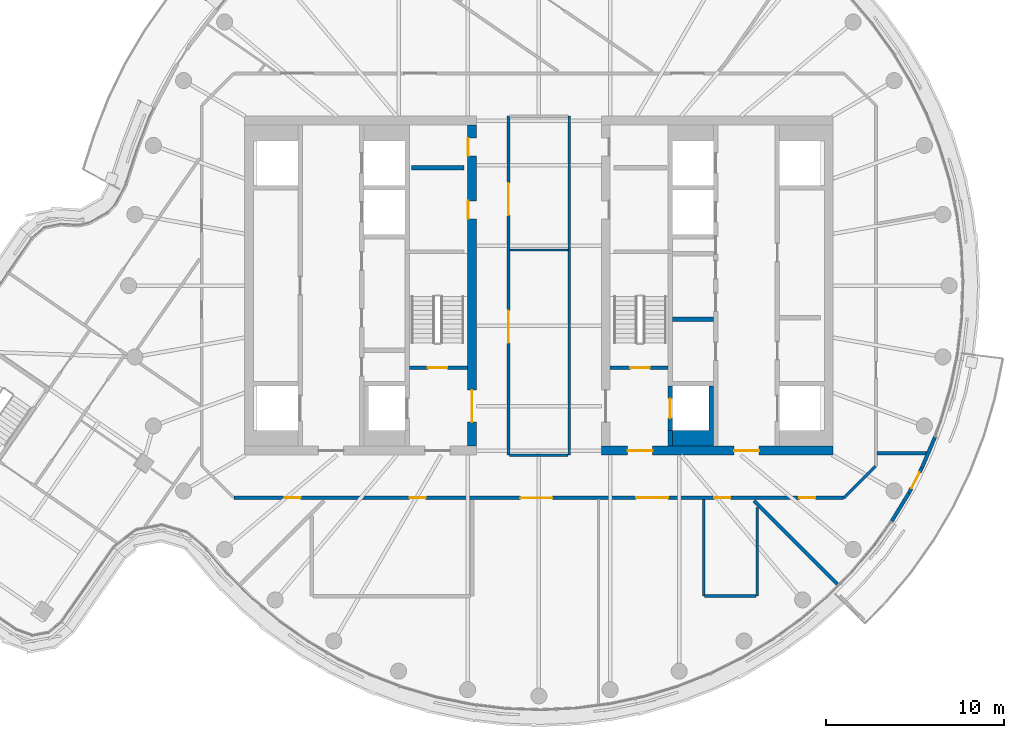
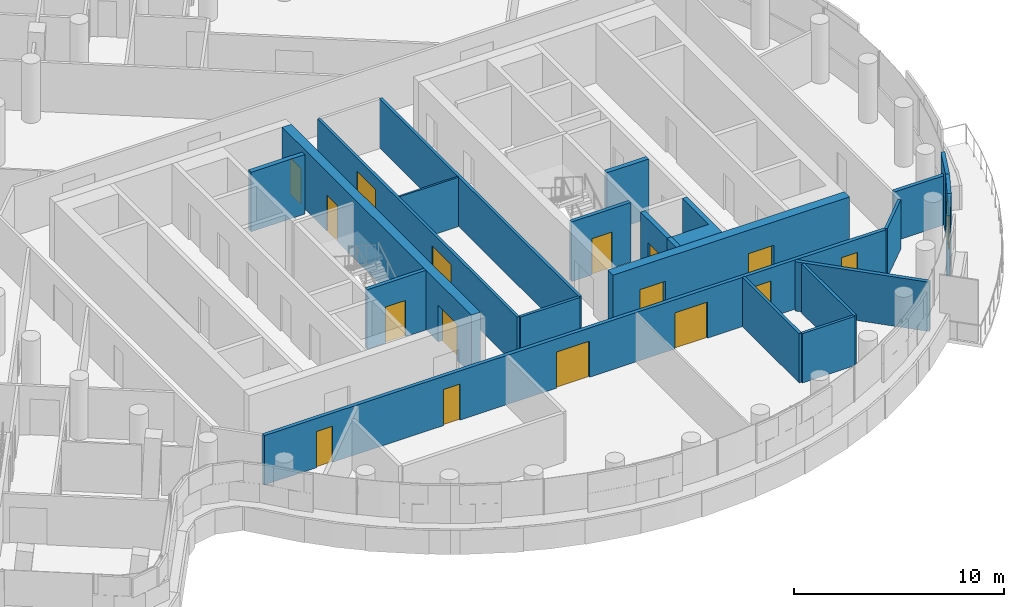
# One storey, part 17 of 26: 23 walls, 17 doors, 17 openings.
"""IFC4 building model written with IfcOpenShell, lengths in metres."""

from ifc_helpers import new_model, si_unit, direction, frame, frame_2d, origin, place, context, subcontext, project, spatial, polyline, rectangle, outline, extrude, material, layer, layer_set, type_object, element, fill, save


model = new_model("IFC4")

# Units and contexts
model_context = context("Model", 3, precision=1e-05, world=origin(), true_north=direction((0.0, 1.0)))
body_context = subcontext(model_context, "Body", "Model", "MODEL_VIEW")
ifc_project = project(units=[si_unit("LENGTHUNIT", "METRE"), si_unit("AREAUNIT", "SQUARE_METRE"), si_unit("VOLUMEUNIT", "CUBIC_METRE"), si_unit("PLANEANGLEUNIT", "RADIAN"), si_unit("MASSUNIT", "GRAM", prefix="KILO")], contexts=[model_context])

# Site, building, storey
site_placement = place(None, origin())
site = spatial("IfcSite", under=ifc_project, at=site_placement, CompositionType="ELEMENT")
building_placement = place(site_placement, origin())
building = spatial("IfcBuilding", under=site, at=building_placement, Name="Tamarind Cross Interchange Tower", CompositionType="ELEMENT")
storey_placement = place(building_placement, frame((0.0, 0.0, 234.300048828125)))
storey = spatial("IfcBuildingStorey", under=building, at=storey_placement, Name="L59", CompositionType="ELEMENT", Elevation=234.300048828125)

# Walls
ifc_material_1 = material(Name="Concrete C40", Category="concrete")
ifc_layer_1 = layer(ifc_material_1, 0.199951171875)
ifc_layer_set_1 = layer_set([ifc_layer_1], Name="Concrete C40")
wall_type_1 = type_object("IfcWallType", Name="Balcony and garden door wall", PredefinedType="SOLIDWALL", material=ifc_layer_set_1)
wall_1_placement = place(storey_placement, frame((19.772216796875, -13.21826171875, 0.0), z_axis=(0.0, 0.0, 1.0), x_axis=(0.52165588039, 0.85315598952, 0.0)))
element("IfcWall", 1, at=wall_1_placement, inside=storey, type_object=wall_type_1, Name="EXW-L59-02-D11L", PredefinedType="SOLIDWALL", context=body_context, shape_type="SweptSolid", body=[
    extrude(rectangle(XDim=1.87060546875, YDim=0.199951171875, at=frame_2d((0.935302734375, 0.0))), origin(), (0.0, 0.0, 1.0), 3.4599609375),
])
wall_2_placement = place(storey_placement, frame((21.477294921875, -10.199462890625, 0.0), z_axis=(0.0, 0.0, 1.0), x_axis=(0.392831837578, 0.919610323662, 0.0)))
element("IfcWall", 2, at=wall_2_placement, inside=storey, type_object=wall_type_1, Name="EXW-L59-02-D11R", PredefinedType="SOLIDWALL", context=body_context, shape_type="SweptSolid", body=[
    extrude(rectangle(XDim=1.8701171875, YDim=0.199951171875, at=frame_2d((0.93505859375, 0.0))), origin(), (0.0, 0.0, 1.0), 3.4599609375),
])

# Wall, opening, door
wall_3_placement = place(storey_placement, frame((20.748046875, -11.622314453125, 0.0), z_axis=(0.0, 0.0, 1.0), x_axis=(0.456108930907, 0.889923953575, 0.0)))
wall_3 = element("IfcWall", 3, at=wall_3_placement, inside=storey, type_object=wall_type_1, Name="EXW-L59-02-D11", PredefinedType="SOLIDWALL", context=body_context, shape_type="SweptSolid", body=[
    extrude(rectangle(XDim=1.598876953125, YDim=0.199951171875, at=frame_2d((0.79931640625, 0.0))), origin(), (0.0, 0.0, 1.0), 3.4599609375),
])
opening_1_placement = place(wall_3_placement, frame((0.299560546875, 0.0, 0.0)))
opening_1 = element("IfcOpeningElement", 4, at=opening_1_placement, cuts=wall_3, Name="Opening D2", PredefinedType="OPENING", context=body_context, shape_type="SweptSolid", body=[
    extrude(rectangle(XDim=1.0, YDim=2.39990234375, at=frame_2d((0.5, 1.199951171875))), frame((0.0, 0.10986328125, 0.0), z_axis=(0.0, -1.0, 0.0), x_axis=(1.0, 0.0, 0.0)), (0.0, 0.0, 1.0), 0.219970703125),
])
ifc_material_2 = material(Name="Aluminium and toughened glass", Category="aluminium")
door_type_1 = type_object("IfcDoorType", Name="Balcony and garden door", OperationType="SINGLE_SWING_LEFT", PredefinedType="DOOR", material=ifc_material_2)
door_1_placement = place(opening_1_placement, origin())
door_1 = element("IfcDoor", 5, at=door_1_placement, inside=storey, type_object=door_type_1, Name="DOR-L59-02-11", OperationType="SINGLE_SWING_LEFT", OverallHeight=2.39990234375, OverallWidth=1.0, PredefinedType="DOOR", context=body_context, shape_type="SweptSolid", body=[
    extrude(rectangle(XDim=1.0, YDim=2.39990234375, at=frame_2d((0.5, 1.199951171875))), frame((0.0, 0.02490234375, 0.0), z_axis=(0.0, -1.0, 0.0), x_axis=(1.0, 0.0, 0.0)), (0.0, 0.0, 1.0), 0.050048828125),
])
fill(opening_1, door_1)

# Wall, openings, doors
ifc_material_3 = material(Name="Concrete C50", Category="concrete")
ifc_layer_2 = layer(ifc_material_3, 0.5)
ifc_layer_set_2 = layer_set([ifc_layer_2], Name="Concrete C50")
wall_type_2 = type_object("IfcWallType", Name="Core wall 500 mm Concrete C50", PredefinedType="SHEAR", material=ifc_layer_set_2)
wall_4_placement = place(storey_placement, frame((-3.75, -9.0, 0.0), z_axis=(0.0, 0.0, 1.0), x_axis=(0.0, 1.0, 0.0)))
wall_4 = element("IfcWall", 6, at=wall_4_placement, inside=storey, type_object=wall_type_2, Name="Core wall CWL-L59-W-IN", PredefinedType="SHEAR", context=body_context, shape_type="SweptSolid", body=[
    extrude(rectangle(XDim=18.0, YDim=0.5, at=frame_2d((9.0, 0.0))), origin(), (0.0, 0.0, 1.0), 3.4599609375),
])
opening_2_placement = place(wall_4_placement, frame((1.35009765625, 0.0, 0.0)))
opening_2 = element("IfcOpeningElement", 7, at=opening_2_placement, cuts=wall_4, Name="Opening DCW4", PredefinedType="OPENING", context=body_context, shape_type="SweptSolid", body=[
    extrude(rectangle(XDim=1.800048828125, YDim=2.10009765625, at=frame_2d((0.89990234375, 1.050048828125))), frame((0.0, 0.260009765625, 0.0), z_axis=(0.0, -1.0, 0.0), x_axis=(1.0, 0.0, 0.0)), (0.0, 0.0, 1.0), 0.52001953125),
])
opening_3_placement = place(wall_4_placement, frame((12.74951171875, 0.0, 0.0)))
opening_3 = element("IfcOpeningElement", 8, at=opening_3_placement, cuts=wall_4, Name="Opening DCW5", PredefinedType="OPENING", context=body_context, shape_type="SweptSolid", body=[
    extrude(rectangle(XDim=1.0, YDim=2.10009765625, at=frame_2d((0.5, 1.050048828125))), frame((0.0, 0.260009765625, 0.0), z_axis=(0.0, -1.0, 0.0), x_axis=(1.0, 0.0, 0.0)), (0.0, 0.0, 1.0), 0.52001953125),
])
opening_4_placement = place(wall_4_placement, frame((16.2744140625, 0.0, 0.0)))
opening_4 = element("IfcOpeningElement", 9, at=opening_4_placement, cuts=wall_4, Name="Opening DCW5", PredefinedType="OPENING", context=body_context, shape_type="SweptSolid", body=[
    extrude(rectangle(XDim=1.0, YDim=2.10009765625, at=frame_2d((0.5, 1.050048828125))), frame((0.0, 0.260009765625, 0.0), z_axis=(0.0, -1.0, 0.0), x_axis=(1.0, 0.0, 0.0)), (0.0, 0.0, 1.0), 0.52001953125),
])
ifc_material_4 = material(Name="Steel, fire-resisting", Category="steel")
door_type_2 = type_object("IfcDoorType", Name="Core fire door 1000 x 2100 FD90", OperationType="SINGLE_SWING_LEFT", PredefinedType="DOOR", material=ifc_material_4)
door_2_placement = place(opening_3_placement, origin())
door_2 = element("IfcDoor", 10, at=door_2_placement, inside=storey, type_object=door_type_2, Name="L59 riser room door", OperationType="SINGLE_SWING_LEFT", OverallHeight=2.10009765625, OverallWidth=1.0, PredefinedType="DOOR", context=body_context, shape_type="SweptSolid", body=[
    extrude(rectangle(XDim=1.0, YDim=2.10009765625, at=frame_2d((0.5, 1.050048828125))), frame((0.0, 0.22509765625, 0.0), z_axis=(0.0, -1.0, 0.0), x_axis=(1.0, 0.0, 0.0)), (0.0, 0.0, 1.0), 0.050048828125),
])
fill(opening_3, door_2)
door_3_placement = place(opening_4_placement, origin())
door_3 = element("IfcDoor", 11, at=door_3_placement, inside=storey, type_object=door_type_2, Name="L59 linen press door", OperationType="SINGLE_SWING_LEFT", OverallHeight=2.10009765625, OverallWidth=1.0, PredefinedType="DOOR", context=body_context, shape_type="SweptSolid", body=[
    extrude(rectangle(XDim=1.0, YDim=2.10009765625, at=frame_2d((0.5, 1.050048828125))), frame((0.0, 0.22509765625, 0.0), z_axis=(0.0, -1.0, 0.0), x_axis=(1.0, 0.0, 0.0)), (0.0, 0.0, 1.0), 0.050048828125),
])
fill(opening_4, door_3)
door_type_3 = type_object("IfcDoorType", Name="Core fire door 1800 x 2100 FD90", OperationType="SINGLE_SWING_LEFT", PredefinedType="DOOR", material=ifc_material_4)
door_4_placement = place(opening_2_placement, origin())
door_4 = element("IfcDoor", 12, at=door_4_placement, inside=storey, type_object=door_type_3, Name="L59 firefighting lobby door", OperationType="SINGLE_SWING_LEFT", OverallHeight=2.10009765625, OverallWidth=1.800048828125, PredefinedType="DOOR", context=body_context, shape_type="SweptSolid", body=[
    extrude(rectangle(XDim=1.800048828125, YDim=2.10009765625, at=frame_2d((0.89990234375, 1.050048828125))), frame((0.0, 0.02490234375, 0.0), z_axis=(0.0, -1.0, 0.0), x_axis=(1.0, 0.0, 0.0)), (0.0, 0.0, 1.0), 0.050048828125),
])
fill(opening_2, door_4)

wall_5_placement = place(storey_placement, frame((16.5, -9.25, 0.0), z_axis=(0.0, 0.0, 1.0), x_axis=(-1.0, 0.0, 0.0)))
wall_5 = element("IfcWall", 13, at=wall_5_placement, inside=storey, type_object=wall_type_2, Name="Core wall CWL-L59-E-S", PredefinedType="SHEAR", context=body_context, shape_type="SweptSolid", body=[
    extrude(rectangle(XDim=13.0, YDim=0.5, at=frame_2d((6.5, 0.0))), origin(), (0.0, 0.0, 1.0), 3.4599609375),
])
opening_5_placement = place(wall_5_placement, frame((4.14990234375, 0.0, 0.0)))
opening_5 = element("IfcOpeningElement", 14, at=opening_5_placement, cuts=wall_5, Name="Opening DCE1", PredefinedType="OPENING", context=body_context, shape_type="SweptSolid", body=[
    extrude(rectangle(XDim=1.39990234375, YDim=2.10009765625, at=frame_2d((0.699951171875, 1.050048828125))), frame((0.0, 0.260009765625, 0.0), z_axis=(0.0, -1.0, 0.0), x_axis=(1.0, 0.0, 0.0)), (0.0, 0.0, 1.0), 0.52001953125),
])
opening_6_placement = place(wall_5_placement, frame((10.125, 0.0, 0.0)))
opening_6 = element("IfcOpeningElement", 15, at=opening_6_placement, cuts=wall_5, Name="Opening DCEF", PredefinedType="OPENING", context=body_context, shape_type="SweptSolid", body=[
    extrude(rectangle(XDim=1.39990234375, YDim=2.10009765625, at=frame_2d((0.699951171875, 1.050048828125))), frame((0.0, 0.260009765625, 0.0), z_axis=(0.0, -1.0, 0.0), x_axis=(1.0, 0.0, 0.0)), (0.0, 0.0, 1.0), 0.52001953125),
])
door_type_4 = type_object("IfcDoorType", Name="Core fire door 1400 x 2100 FD90", OperationType="SINGLE_SWING_LEFT", PredefinedType="DOOR", material=ifc_material_4)
door_5_placement = place(opening_5_placement, origin())
door_5 = element("IfcDoor", 16, at=door_5_placement, inside=storey, type_object=door_type_4, Name="L59 lift lobby door", OperationType="SINGLE_SWING_LEFT", OverallHeight=2.10009765625, OverallWidth=1.39990234375, PredefinedType="DOOR", context=body_context, shape_type="SweptSolid", body=[
    extrude(rectangle(XDim=1.39990234375, YDim=2.10009765625, at=frame_2d((0.699951171875, 1.050048828125))), frame((0.0, 0.02490234375, 0.0), z_axis=(0.0, -1.0, 0.0), x_axis=(1.0, 0.0, 0.0)), (0.0, 0.0, 1.0), 0.050048828125),
])
fill(opening_5, door_5)
door_6_placement = place(opening_6_placement, origin())
door_6 = element("IfcDoor", 17, at=door_6_placement, inside=storey, type_object=door_type_4, Name="L59 firefighting lobby end door", OperationType="SINGLE_SWING_LEFT", OverallHeight=2.10009765625, OverallWidth=1.39990234375, PredefinedType="DOOR", context=body_context, shape_type="SweptSolid", body=[
    extrude(rectangle(XDim=1.39990234375, YDim=2.10009765625, at=frame_2d((0.699951171875, 1.050048828125))), frame((0.0, 0.02490234375, 0.0), z_axis=(0.0, -1.0, 0.0), x_axis=(1.0, 0.0, 0.0)), (0.0, 0.0, 1.0), 0.050048828125),
])
fill(opening_6, door_6)

# Walls
ifc_layer_3 = layer(ifc_material_3, 0.25)
ifc_layer_set_3 = layer_set([ifc_layer_3], Name="Concrete C50")
wall_type_3 = type_object("IfcWallType", Name="Core web wall 250 mm Concrete C50", PredefinedType="SHEAR", material=ifc_layer_set_3)
wall_6_placement = place(storey_placement, origin())
element("IfcWall", 18, at=wall_6_placement, inside=storey, type_object=wall_type_3, Name="Core wall CWL-L59-E-BS", PredefinedType="SHEAR", context=body_context, shape_type="SweptSolid", body=[
    extrude(outline(polyline([(7.5, -8.125), (7.5, -9.0), (9.800048828125, -9.0), (9.800048828125, -8.125), (9.800048828125, -5.625), (9.550048828125, -5.625), (9.550048828125, -8.125), (7.5, -8.125)])), origin(), (0.0, 0.0, 1.0), 3.4599609375),
])
wall_7_placement = place(storey_placement, frame((7.375, -9.0, 0.0), z_axis=(0.0, 0.0, 1.0), x_axis=(0.0, 1.0, 0.0)))
element("IfcWall", 19, at=wall_7_placement, inside=storey, type_object=wall_type_3, Name="Core wall CWL-L59-E-BW", PredefinedType="SHEAR", context=body_context, shape_type="SweptSolid", body=[
    extrude(rectangle(XDim=0.875, YDim=0.25, at=frame_2d((0.4375, 0.0))), origin(), (0.0, 0.0, 1.0), 3.4599609375),
])

# Wall, opening, door
wall_8_placement = place(storey_placement, frame((7.375, -8.125, 0.0), z_axis=(0.0, 0.0, 1.0), x_axis=(0.0, 1.0, 0.0)))
wall_8 = element("IfcWall", 20, at=wall_8_placement, inside=storey, type_object=wall_type_3, Name="Core wall CWL-L59-E-FF", PredefinedType="SHEAR", context=body_context, shape_type="SweptSolid", body=[
    extrude(rectangle(XDim=2.5, YDim=0.25, at=frame_2d((1.25, 0.0))), origin(), (0.0, 0.0, 1.0), 3.4599609375),
])
opening_7_placement = place(wall_8_placement, frame((0.699951171875, 0.0, 0.0)))
opening_7 = element("IfcOpeningElement", 21, at=opening_7_placement, cuts=wall_8, Name="Opening LD19L59", PredefinedType="OPENING", context=body_context, shape_type="SweptSolid", body=[
    extrude(rectangle(XDim=1.10009765625, YDim=2.10009765625, at=frame_2d((0.550048828125, 1.050048828125))), frame((0.0, 0.135009765625, 0.0), z_axis=(0.0, -1.0, 0.0), x_axis=(1.0, 0.0, 0.0)), (0.0, 0.0, 1.0), 0.27001953125),
])
ifc_material_5 = material(Name="Stainless steel panel", Category="steel")
door_type_5 = type_object("IfcDoorType", Name="Lift landing door 1100 x 2100 E 120", OperationType="SLIDING_TO_LEFT", PredefinedType="DOOR", material=ifc_material_5)
door_7_placement = place(opening_7_placement, origin())
door_7 = element("IfcDoor", 22, at=door_7_placement, inside=storey, type_object=door_type_5, Name="L59 landing door LF19", OperationType="SLIDING_TO_LEFT", OverallHeight=2.10009765625, OverallWidth=1.10009765625, PredefinedType="DOOR", context=body_context, shape_type="SweptSolid", body=[
    extrude(rectangle(XDim=1.10009765625, YDim=2.10009765625, at=frame_2d((0.550048828125, 1.050048828125))), frame((0.0, 0.02490234375, 0.0), z_axis=(0.0, -1.0, 0.0), x_axis=(1.0, 0.0, 0.0)), (0.0, 0.0, 1.0), 0.050048828125),
])
fill(opening_7, door_7)

# Walls
ifc_material_6 = material(Name="Gypsum board partition on steel studs", Category="steel")
ifc_layer_4 = layer(ifc_material_6, 0.10009765625)
ifc_layer_set_4 = layer_set([ifc_layer_4], Name="Gypsum board partition on steel studs")
wall_type_4 = type_object("IfcWallType", Name="Partition 100 mm EI 120", PredefinedType="PARTITIONING", material=ifc_layer_set_4)
wall_9_placement = place(storey_placement, frame((-1.639892578125, 2.0, 0.0), z_axis=(0.0, 0.0, 1.0), x_axis=(1.0, 0.0, 0.0)))
element("IfcWall", 23, at=wall_9_placement, inside=storey, type_object=wall_type_4, Name="Partition L59-030", PredefinedType="PARTITIONING", context=body_context, shape_type="SweptSolid", body=[
    extrude(rectangle(XDim=3.27978515625, YDim=0.10009765625, at=frame_2d((1.639892578125, 0.0))), origin(), (0.0, 0.0, 1.0), 2.864013671875),
])
ifc_layer_5 = layer(ifc_material_6, 0.14990234375)
ifc_layer_set_5 = layer_set([ifc_layer_5], Name="Gypsum board partition on steel studs")
wall_type_5 = type_object("IfcWallType", Name="Partition 150 mm EI 120", PredefinedType="PARTITIONING", material=ifc_layer_set_5)
wall_10_placement = place(storey_placement, frame((9.2958984375, -17.39990234375, 0.0), z_axis=(0.0, 0.0, 1.0), x_axis=(1.0, 0.0, 0.0)))
element("IfcWall", 24, at=wall_10_placement, inside=storey, type_object=wall_type_5, Name="Partition L59-028", PredefinedType="PARTITIONING", context=body_context, shape_type="SweptSolid", body=[
    extrude(rectangle(XDim=2.89013671875, YDim=0.14990234375, at=frame_2d((1.445068359375, 0.0))), origin(), (0.0, 0.0, 1.0), 2.864013671875),
])
wall_11_placement = place(storey_placement, frame((-1.639892578125, -9.5, 0.0), z_axis=(0.0, 0.0, 1.0), x_axis=(1.0, 0.0, 0.0)))
element("IfcWall", 25, at=wall_11_placement, inside=storey, type_object=wall_type_5, Name="Partition L59-029", PredefinedType="PARTITIONING", context=body_context, shape_type="SweptSolid", body=[
    extrude(rectangle(XDim=3.27978515625, YDim=0.14990234375, at=frame_2d((1.639892578125, 0.0))), origin(), (0.0, 0.0, 1.0), 2.864013671875),
])
wall_12_placement = place(storey_placement, frame((17.10009765625, -11.89990234375, 0.0), z_axis=(0.0, 0.0, 1.0), x_axis=(0.707106781187, 0.707106781187, 0.0)))
element("IfcWall", 26, at=wall_12_placement, inside=storey, type_object=wall_type_5, Name="Partition L59-036", PredefinedType="PARTITIONING", context=body_context, shape_type="SweptSolid", body=[
    extrude(rectangle(XDim=2.50537109375, YDim=0.14990234375, at=frame_2d((1.252685546875, 0.0))), origin(), (0.0, 0.0, 1.0), 2.864013671875),
])

# Wall, openings, doors
wall_13_placement = place(storey_placement, frame((-1.699951171875, -9.5, 0.0), z_axis=(0.0, 0.0, 1.0), x_axis=(0.0, 1.0, 0.0)))
wall_13 = element("IfcWall", 27, at=wall_13_placement, inside=storey, type_object=wall_type_5, Name="Partition L59-058", PredefinedType="PARTITIONING", context=body_context, shape_type="SweptSolid", body=[
    extrude(rectangle(XDim=19.0, YDim=0.14990234375, at=frame_2d((9.5, 0.0))), origin(), (0.0, 0.0, 1.0), 2.864013671875),
])
opening_8_placement = place(wall_13_placement, frame((6.300048828125, 0.0, 0.0)))
opening_8 = element("IfcOpeningElement", 28, at=opening_8_placement, cuts=wall_13, Name="Opening D30", PredefinedType="OPENING", context=body_context, shape_type="SweptSolid", body=[
    extrude(rectangle(XDim=1.800048828125, YDim=2.10009765625, at=frame_2d((0.89990234375, 1.050048828125))), frame((0.0, 0.0849609375, 0.0), z_axis=(0.0, -1.0, 0.0), x_axis=(1.0, 0.0, 0.0)), (0.0, 0.0, 1.0), 0.169921875),
])
opening_9_placement = place(wall_13_placement, frame((13.449951171875, 0.0, 0.0)))
opening_9 = element("IfcOpeningElement", 29, at=opening_9_placement, cuts=wall_13, Name="Opening D31", PredefinedType="OPENING", context=body_context, shape_type="SweptSolid", body=[
    extrude(rectangle(XDim=1.800048828125, YDim=2.10009765625, at=frame_2d((0.89990234375, 1.050048828125))), frame((0.0, 0.0849609375, 0.0), z_axis=(0.0, -1.0, 0.0), x_axis=(1.0, 0.0, 0.0)), (0.0, 0.0, 1.0), 0.169921875),
])
ifc_material_7 = material(Name="Fire-resisting door set")
door_type_6 = type_object("IfcDoorType", Name="Interior door 1800 x 2100 FD60S", OperationType="DOUBLE_DOOR_SINGLE_SWING", PredefinedType="DOOR", material=ifc_material_7)
door_8_placement = place(opening_8_placement, frame((1.800048828125, 0.0, 0.0), z_axis=(0.0, 0.0, 1.0), x_axis=(-1.0, 0.0, 0.0)))
door_8 = element("IfcDoor", 30, at=door_8_placement, inside=storey, type_object=door_type_6, Name="Door D30", OperationType="DOUBLE_DOOR_SINGLE_SWING", OverallHeight=2.10009765625, OverallWidth=1.800048828125, PredefinedType="DOOR", context=body_context, shape_type="SweptSolid", body=[
    extrude(rectangle(XDim=1.800048828125, YDim=2.10009765625, at=frame_2d((0.89990234375, 1.050048828125))), frame((0.0, 0.02490234375, 0.0), z_axis=(0.0, -1.0, 0.0), x_axis=(1.0, 0.0, 0.0)), (0.0, 0.0, 1.0), 0.050048828125),
])
fill(opening_8, door_8)
door_9_placement = place(opening_9_placement, frame((1.800048828125, 0.0, 0.0), z_axis=(0.0, 0.0, 1.0), x_axis=(-1.0, 0.0, 0.0)))
door_9 = element("IfcDoor", 31, at=door_9_placement, inside=storey, type_object=door_type_6, Name="Door D31", OperationType="DOUBLE_DOOR_SINGLE_SWING", OverallHeight=2.10009765625, OverallWidth=1.800048828125, PredefinedType="DOOR", context=body_context, shape_type="SweptSolid", body=[
    extrude(rectangle(XDim=1.800048828125, YDim=2.10009765625, at=frame_2d((0.89990234375, 1.050048828125))), frame((0.0, 0.02490234375, 0.0), z_axis=(0.0, -1.0, 0.0), x_axis=(1.0, 0.0, 0.0)), (0.0, 0.0, 1.0), 0.050048828125),
])
fill(opening_9, door_9)

# Walls
wall_14_placement = place(storey_placement, frame((1.699951171875, -9.5, 0.0), z_axis=(0.0, 0.0, 1.0), x_axis=(0.0, 1.0, 0.0)))
element("IfcWall", 32, at=wall_14_placement, inside=storey, type_object=wall_type_5, Name="Partition L59-059", PredefinedType="PARTITIONING", context=body_context, shape_type="SweptSolid", body=[
    extrude(rectangle(XDim=19.0, YDim=0.14990234375, at=frame_2d((9.5, 0.0))), origin(), (0.0, 0.0, 1.0), 2.864013671875),
])
wall_15_placement = place(storey_placement, frame((9.240966796875, -17.39990234375, 0.0), z_axis=(0.0, 0.0, 1.0), x_axis=(0.0, 1.0, 0.0)))
element("IfcWall", 33, at=wall_15_placement, inside=storey, type_object=wall_type_5, Name="Partition L59-061", PredefinedType="PARTITIONING", context=body_context, shape_type="SweptSolid", body=[
    extrude(rectangle(XDim=5.419921875, YDim=0.14990234375, at=frame_2d((2.7099609375, 0.0))), origin(), (0.0, 0.0, 1.0), 2.864013671875),
])
wall_16_placement = place(storey_placement, frame((12.240966796875, -17.39990234375, 0.0), z_axis=(0.0, 0.0, 1.0), x_axis=(0.0, 1.0, 0.0)))
element("IfcWall", 34, at=wall_16_placement, inside=storey, type_object=wall_type_5, Name="Partition L59-062", PredefinedType="PARTITIONING", context=body_context, shape_type="SweptSolid", body=[
    extrude(rectangle(XDim=4.958984375, YDim=0.14990234375, at=frame_2d((2.4794921875, 0.0))), origin(), (0.0, 0.0, 1.0), 2.864013671875),
])
ifc_layer_6 = layer(ifc_material_6, 0.199951171875)
ifc_layer_set_6 = layer_set([ifc_layer_6], Name="Gypsum board partition on steel studs")
wall_type_6 = type_object("IfcWallType", Name="Partition 200 mm EI 180", PredefinedType="PARTITIONING", material=ifc_layer_set_6)
wall_17_placement = place(storey_placement, frame((12.052001953125, -12.052001953125, 0.0), z_axis=(0.0, 0.0, 1.0), x_axis=(0.707106781187, -0.707106781187, 0.0)))
element("IfcWall", 35, at=wall_17_placement, inside=storey, type_object=wall_type_6, Name="Partition L59-002", PredefinedType="PARTITIONING", context=body_context, shape_type="SweptSolid", body=[
    extrude(rectangle(XDim=6.630615234375, YDim=0.199951171875, at=frame_2d((3.3154296875, 0.0))), origin(), (0.0, 0.0, 1.0), 2.864013671875),
])

# Wall, openings, doors
wall_18_placement = place(storey_placement, frame((-17.10009765625, -11.89990234375, 0.0), z_axis=(0.0, 0.0, 1.0), x_axis=(1.0, 0.0, 0.0)))
wall_18 = element("IfcWall", 36, at=wall_18_placement, inside=storey, type_object=wall_type_6, Name="Partition L59-025", PredefinedType="PARTITIONING", context=body_context, shape_type="SweptSolid", body=[
    extrude(rectangle(XDim=34.1650390625, YDim=0.199951171875, at=frame_2d((17.08251953125, 0.0))), origin(), (0.0, 0.0, 1.0), 2.864013671875),
])
opening_10_placement = place(wall_18_placement, frame((9.85009765625, 0.0, 0.0)))
opening_10 = element("IfcOpeningElement", 37, at=opening_10_placement, cuts=wall_18, Name="Opening D09", PredefinedType="OPENING", context=body_context, shape_type="SweptSolid", body=[
    extrude(rectangle(XDim=0.89990234375, YDim=2.10009765625, at=frame_2d((0.449951171875, 1.050048828125))), frame((0.0, 0.10986328125, 0.0), z_axis=(0.0, -1.0, 0.0), x_axis=(1.0, 0.0, 0.0)), (0.0, 0.0, 1.0), 0.219970703125),
])
opening_11_placement = place(wall_18_placement, frame((26.94091796875, 0.0, 0.0)))
opening_11 = element("IfcOpeningElement", 38, at=opening_11_placement, cuts=wall_18, Name="Opening D10", PredefinedType="OPENING", context=body_context, shape_type="SweptSolid", body=[
    extrude(rectangle(XDim=0.89990234375, YDim=2.10009765625, at=frame_2d((0.449951171875, 1.050048828125))), frame((0.0, 0.10986328125, 0.0), z_axis=(0.0, -1.0, 0.0), x_axis=(1.0, 0.0, 0.0)), (0.0, 0.0, 1.0), 0.219970703125),
])
opening_12_placement = place(wall_18_placement, frame((16.05908203125, 0.0, 0.0)))
opening_12 = element("IfcOpeningElement", 39, at=opening_12_placement, cuts=wall_18, Name="Opening D11", PredefinedType="OPENING", context=body_context, shape_type="SweptSolid", body=[
    extrude(rectangle(XDim=1.800048828125, YDim=2.10009765625, at=frame_2d((0.89990234375, 1.050048828125))), frame((0.0, 0.10986328125, 0.0), z_axis=(0.0, -1.0, 0.0), x_axis=(1.0, 0.0, 0.0)), (0.0, 0.0, 1.0), 0.219970703125),
])
opening_13_placement = place(wall_18_placement, frame((22.548095703125, 0.0, 0.0)))
opening_13 = element("IfcOpeningElement", 40, at=opening_13_placement, cuts=wall_18, Name="Opening D12", PredefinedType="OPENING", context=body_context, shape_type="SweptSolid", body=[
    extrude(rectangle(XDim=1.800048828125, YDim=2.10009765625, at=frame_2d((0.89990234375, 1.050048828125))), frame((0.0, 0.10986328125, 0.0), z_axis=(0.0, -1.0, 0.0), x_axis=(1.0, 0.0, 0.0)), (0.0, 0.0, 1.0), 0.219970703125),
])
opening_14_placement = place(wall_18_placement, frame((31.699951171875, 0.0, 0.0)))
opening_14 = element("IfcOpeningElement", 41, at=opening_14_placement, cuts=wall_18, Name="Opening D13", PredefinedType="OPENING", context=body_context, shape_type="SweptSolid", body=[
    extrude(rectangle(XDim=0.89990234375, YDim=2.10009765625, at=frame_2d((0.449951171875, 1.050048828125))), frame((0.0, 0.10986328125, 0.0), z_axis=(0.0, -1.0, 0.0), x_axis=(1.0, 0.0, 0.0)), (0.0, 0.0, 1.0), 0.219970703125),
])
opening_15_placement = place(wall_18_placement, frame((2.85009765625, 0.0, 0.0)))
opening_15 = element("IfcOpeningElement", 42, at=opening_15_placement, cuts=wall_18, Name="Opening D14", PredefinedType="OPENING", context=body_context, shape_type="SweptSolid", body=[
    extrude(rectangle(XDim=0.89990234375, YDim=2.10009765625, at=frame_2d((0.449951171875, 1.050048828125))), frame((0.0, 0.10986328125, 0.0), z_axis=(0.0, -1.0, 0.0), x_axis=(1.0, 0.0, 0.0)), (0.0, 0.0, 1.0), 0.219970703125),
])
door_type_7 = type_object("IfcDoorType", Name="Interior door 1800 x 2100 FD120S", OperationType="DOUBLE_DOOR_SINGLE_SWING", PredefinedType="DOOR", material=ifc_material_7)
door_10_placement = place(opening_12_placement, origin())
door_10 = element("IfcDoor", 43, at=door_10_placement, inside=storey, type_object=door_type_7, Name="Door D11", OperationType="DOUBLE_DOOR_SINGLE_SWING", OverallHeight=2.10009765625, OverallWidth=1.800048828125, PredefinedType="DOOR", context=body_context, shape_type="SweptSolid", body=[
    extrude(rectangle(XDim=1.800048828125, YDim=2.10009765625, at=frame_2d((0.89990234375, 1.050048828125))), frame((0.0, 0.02490234375, 0.0), z_axis=(0.0, -1.0, 0.0), x_axis=(1.0, 0.0, 0.0)), (0.0, 0.0, 1.0), 0.050048828125),
])
fill(opening_12, door_10)
door_11_placement = place(opening_13_placement, frame((1.800048828125, 0.0, 0.0), z_axis=(0.0, 0.0, 1.0), x_axis=(-1.0, 0.0, 0.0)))
door_11 = element("IfcDoor", 44, at=door_11_placement, inside=storey, type_object=door_type_7, Name="Door D12", OperationType="DOUBLE_DOOR_SINGLE_SWING", OverallHeight=2.10009765625, OverallWidth=1.800048828125, PredefinedType="DOOR", context=body_context, shape_type="SweptSolid", body=[
    extrude(rectangle(XDim=1.800048828125, YDim=2.10009765625, at=frame_2d((0.89990234375, 1.050048828125))), frame((0.0, 0.02490234375, 0.0), z_axis=(0.0, -1.0, 0.0), x_axis=(1.0, 0.0, 0.0)), (0.0, 0.0, 1.0), 0.050048828125),
])
fill(opening_13, door_11)
door_type_8 = type_object("IfcDoorType", Name="Interior door 900 x 2100 FD120S", OperationType="SINGLE_SWING_LEFT", PredefinedType="DOOR", material=ifc_material_7)
door_12_placement = place(opening_10_placement, frame((0.89990234375, 0.0, 0.0), z_axis=(0.0, 0.0, 1.0), x_axis=(-1.0, 0.0, 0.0)))
door_12 = element("IfcDoor", 45, at=door_12_placement, inside=storey, type_object=door_type_8, Name="Door D09", OperationType="SINGLE_SWING_LEFT", OverallHeight=2.10009765625, OverallWidth=0.89990234375, PredefinedType="DOOR", context=body_context, shape_type="SweptSolid", body=[
    extrude(rectangle(XDim=0.89990234375, YDim=2.10009765625, at=frame_2d((0.449951171875, 1.050048828125))), frame((0.0, 0.02490234375, 0.0), z_axis=(0.0, -1.0, 0.0), x_axis=(1.0, 0.0, 0.0)), (0.0, 0.0, 1.0), 0.050048828125),
])
fill(opening_10, door_12)
door_13_placement = place(opening_11_placement, frame((0.89990234375, 0.0, 0.0), z_axis=(0.0, 0.0, 1.0), x_axis=(-1.0, 0.0, 0.0)))
door_13 = element("IfcDoor", 46, at=door_13_placement, inside=storey, type_object=door_type_8, Name="Door D10", OperationType="SINGLE_SWING_RIGHT", OverallHeight=2.10009765625, OverallWidth=0.89990234375, PredefinedType="DOOR", context=body_context, shape_type="SweptSolid", body=[
    extrude(rectangle(XDim=0.89990234375, YDim=2.10009765625, at=frame_2d((0.449951171875, 1.050048828125))), frame((0.0, 0.02490234375, 0.0), z_axis=(0.0, -1.0, 0.0), x_axis=(1.0, 0.0, 0.0)), (0.0, 0.0, 1.0), 0.050048828125),
])
fill(opening_11, door_13)
door_14_placement = place(opening_14_placement, frame((0.89990234375, 0.0, 0.0), z_axis=(0.0, 0.0, 1.0), x_axis=(-1.0, 0.0, 0.0)))
door_14 = element("IfcDoor", 47, at=door_14_placement, inside=storey, type_object=door_type_8, Name="Door D13", OperationType="SINGLE_SWING_RIGHT", OverallHeight=2.10009765625, OverallWidth=0.89990234375, PredefinedType="DOOR", context=body_context, shape_type="SweptSolid", body=[
    extrude(rectangle(XDim=0.89990234375, YDim=2.10009765625, at=frame_2d((0.449951171875, 1.050048828125))), frame((0.0, 0.02490234375, 0.0), z_axis=(0.0, -1.0, 0.0), x_axis=(1.0, 0.0, 0.0)), (0.0, 0.0, 1.0), 0.050048828125),
])
fill(opening_14, door_14)
door_15_placement = place(opening_15_placement, frame((0.89990234375, 0.0, 0.0), z_axis=(0.0, 0.0, 1.0), x_axis=(-1.0, 0.0, 0.0)))
door_15 = element("IfcDoor", 48, at=door_15_placement, inside=storey, type_object=door_type_8, Name="Door D14", OperationType="SINGLE_SWING_LEFT", OverallHeight=2.10009765625, OverallWidth=0.89990234375, PredefinedType="DOOR", context=body_context, shape_type="SweptSolid", body=[
    extrude(rectangle(XDim=0.89990234375, YDim=2.10009765625, at=frame_2d((0.449951171875, 1.050048828125))), frame((0.0, 0.02490234375, 0.0), z_axis=(0.0, -1.0, 0.0), x_axis=(1.0, 0.0, 0.0)), (0.0, 0.0, 1.0), 0.050048828125),
])
fill(opening_15, door_15)

# Walls
wall_19_placement = place(storey_placement, frame((18.955078125, -9.388916015625, 0.0), z_axis=(0.0, 0.0, 1.0), x_axis=(1.0, 0.0, 0.0)))
element("IfcWall", 49, at=wall_19_placement, inside=storey, type_object=wall_type_6, Name="Partition L59-032", PredefinedType="PARTITIONING", context=body_context, shape_type="SweptSolid", body=[
    extrude(rectangle(XDim=2.79833984375, YDim=0.199951171875, at=frame_2d((1.399169921875, 0.0))), origin(), (0.0, 0.0, 1.0), 2.864013671875),
])
ifc_layer_7 = layer(ifc_material_1, 0.25)
ifc_layer_set_7 = layer_set([ifc_layer_7], Name="Concrete C40")
wall_type_7 = type_object("IfcWallType", Name="Shaft and lobby wall 250 mm Concrete C40", PredefinedType="PARTITIONING", material=ifc_layer_set_7)
wall_20_placement = place(storey_placement, frame((-7.14990234375, 6.6240234375, 0.0), z_axis=(0.0, 0.0, 1.0), x_axis=(1.0, 0.0, 0.0)))
element("IfcWall", 50, at=wall_20_placement, inside=storey, type_object=wall_type_7, Name="Shaft wall CWL-L59-W-SVP", PredefinedType="PARTITIONING", context=body_context, shape_type="SweptSolid", body=[
    extrude(rectangle(XDim=2.949951171875, YDim=0.25, at=frame_2d((1.47509765625, 0.0))), origin(), (0.0, 0.0, 1.0), 3.4599609375),
])
wall_21_placement = place(storey_placement, frame((9.800048828125, -1.875, 0.0), z_axis=(0.0, 0.0, 1.0), x_axis=(-1.0, 0.0, 0.0)))
element("IfcWall", 51, at=wall_21_placement, inside=storey, type_object=wall_type_7, Name="Shaft wall CWL-L59-E-FPB1", PredefinedType="PARTITIONING", context=body_context, shape_type="SweptSolid", body=[
    extrude(rectangle(XDim=2.300048828125, YDim=0.25, at=frame_2d((1.14990234375, 0.0))), origin(), (0.0, 0.0, 1.0), 3.4599609375),
])

# Wall, opening, door
ifc_layer_8 = layer(ifc_material_1, 0.199951171875)
ifc_layer_set_8 = layer_set([ifc_layer_8], Name="Concrete C40")
wall_type_8 = type_object("IfcWallType", Name="Stair shaft wall 200 mm Concrete C40", PredefinedType="SHEAR", material=ifc_layer_set_8)
wall_22_placement = place(storey_placement, frame((-7.25, -4.60009765625, 0.0), z_axis=(0.0, 0.0, 1.0), x_axis=(1.0, 0.0, 0.0)))
wall_22 = element("IfcWall", 52, at=wall_22_placement, inside=storey, type_object=wall_type_8, Name="Core wall CWL-L59-W-SD", PredefinedType="SHEAR", context=body_context, shape_type="SweptSolid", body=[
    extrude(rectangle(XDim=3.25, YDim=0.199951171875, at=frame_2d((1.625, 0.0))), origin(), (0.0, 0.0, 1.0), 3.4599609375),
])
opening_16_placement = place(wall_22_placement, frame((1.02490234375, 0.0, 0.0)))
opening_16 = element("IfcOpeningElement", 53, at=opening_16_placement, cuts=wall_22, Name="Opening DCW6", PredefinedType="OPENING", context=body_context, shape_type="SweptSolid", body=[
    extrude(rectangle(XDim=1.10009765625, YDim=2.10009765625, at=frame_2d((0.550048828125, 1.050048828125))), frame((0.0, 0.10986328125, 0.0), z_axis=(0.0, -1.0, 0.0), x_axis=(1.0, 0.0, 0.0)), (0.0, 0.0, 1.0), 0.219970703125),
])
door_type_9 = type_object("IfcDoorType", Name="Core fire door 1100 x 2100 FD90", OperationType="SINGLE_SWING_LEFT", PredefinedType="DOOR", material=ifc_material_4)
door_16_placement = place(opening_16_placement, origin())
door_16 = element("IfcDoor", 54, at=door_16_placement, inside=storey, type_object=door_type_9, Name="L59 stair door", OperationType="SINGLE_SWING_LEFT", OverallHeight=2.10009765625, OverallWidth=1.10009765625, PredefinedType="DOOR", context=body_context, shape_type="SweptSolid", body=[
    extrude(rectangle(XDim=1.10009765625, YDim=2.10009765625, at=frame_2d((0.550048828125, 1.050048828125))), frame((0.0, 0.02490234375, 0.0), z_axis=(0.0, -1.0, 0.0), x_axis=(1.0, 0.0, 0.0)), (0.0, 0.0, 1.0), 0.050048828125),
])
fill(opening_16, door_16)

wall_23_placement = place(storey_placement, frame((7.25, -4.60009765625, 0.0), z_axis=(0.0, 0.0, 1.0), x_axis=(-1.0, 0.0, 0.0)))
wall_23 = element("IfcWall", 55, at=wall_23_placement, inside=storey, type_object=wall_type_8, Name="Core wall CWL-L59-E-SD", PredefinedType="SHEAR", context=body_context, shape_type="SweptSolid", body=[
    extrude(rectangle(XDim=3.25, YDim=0.199951171875, at=frame_2d((1.625, 0.0))), origin(), (0.0, 0.0, 1.0), 3.4599609375),
])
opening_17_placement = place(wall_23_placement, frame((1.02490234375, 0.0, 0.0)))
opening_17 = element("IfcOpeningElement", 56, at=opening_17_placement, cuts=wall_23, Name="Opening DCE6", PredefinedType="OPENING", context=body_context, shape_type="SweptSolid", body=[
    extrude(rectangle(XDim=1.10009765625, YDim=2.10009765625, at=frame_2d((0.550048828125, 1.050048828125))), frame((0.0, 0.10986328125, 0.0), z_axis=(0.0, -1.0, 0.0), x_axis=(1.0, 0.0, 0.0)), (0.0, 0.0, 1.0), 0.219970703125),
])
door_17_placement = place(opening_17_placement, origin())
door_17 = element("IfcDoor", 57, at=door_17_placement, inside=storey, type_object=door_type_9, Name="L59 stair door", OperationType="SINGLE_SWING_LEFT", OverallHeight=2.10009765625, OverallWidth=1.10009765625, PredefinedType="DOOR", context=body_context, shape_type="SweptSolid", body=[
    extrude(rectangle(XDim=1.10009765625, YDim=2.10009765625, at=frame_2d((0.550048828125, 1.050048828125))), frame((0.0, 0.02490234375, 0.0), z_axis=(0.0, -1.0, 0.0), x_axis=(1.0, 0.0, 0.0)), (0.0, 0.0, 1.0), 0.050048828125),
])
fill(opening_17, door_17)

save(model, "model.ifc")
